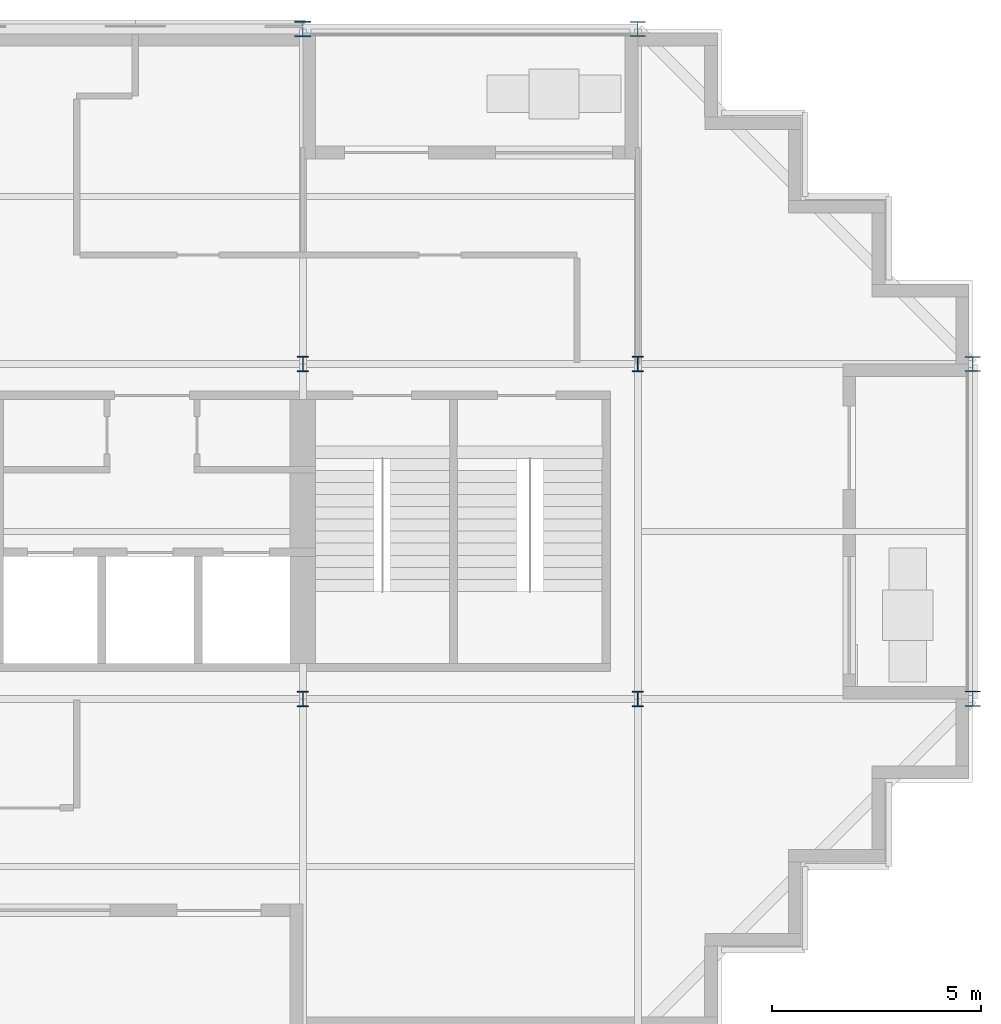
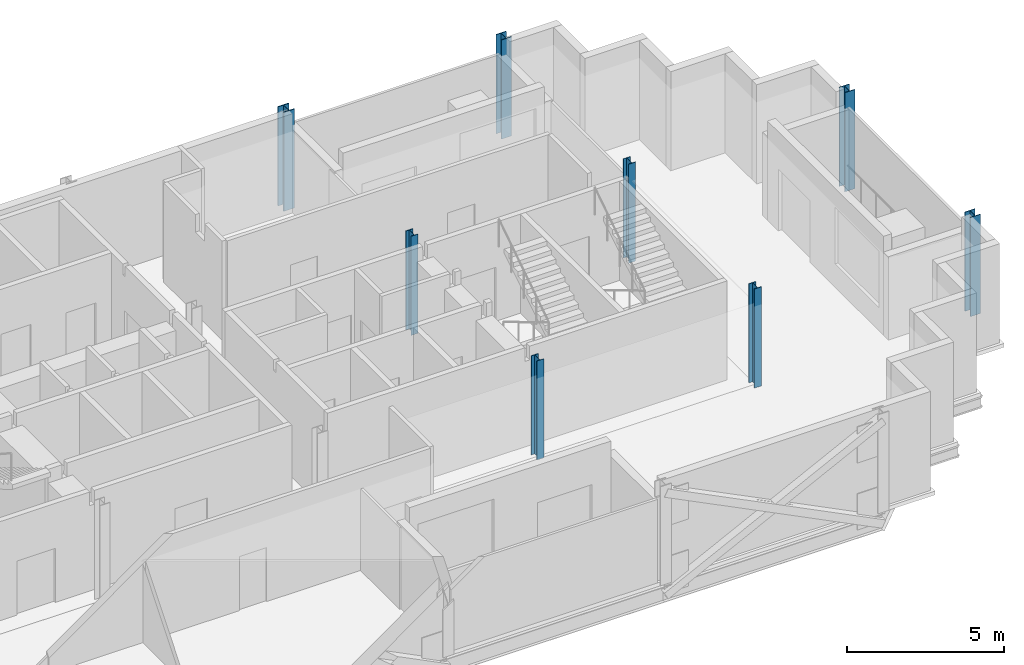
# One storey, part 2 of 9: 8 columns.
"""IFC4 building model written with IfcOpenShell, lengths in metres."""

from ifc_helpers import new_model, si_unit, direction, frame, origin, origin_2d, place, context, subcontext, project, spatial, i_section, extrude, material, material_profile, profile_set, type_object, element, save


model = new_model("IFC4")

# Units and contexts
model_context = context("Model", 3, precision=1e-05, world=origin(), true_north=direction((0.0, 1.0)))
body_context = subcontext(model_context, "Body", "Model", "MODEL_VIEW")
ifc_project = project(units=[si_unit("LENGTHUNIT", "METRE"), si_unit("AREAUNIT", "SQUARE_METRE"), si_unit("VOLUMEUNIT", "CUBIC_METRE"), si_unit("PLANEANGLEUNIT", "RADIAN"), si_unit("MASSUNIT", "GRAM", prefix="KILO")], contexts=[model_context])

# Site, building, storey
site_placement = place(None, origin())
site = spatial("IfcSite", under=ifc_project, at=site_placement, CompositionType="ELEMENT")
building_placement = place(site_placement, origin())
building = spatial("IfcBuilding", under=site, at=building_placement, Name="Immortelle Media Tower", CompositionType="ELEMENT")
storey_placement = place(building_placement, frame((0.0, 0.0, 271.0)))
storey = spatial("IfcBuildingStorey", under=building, at=storey_placement, Name="L59", CompositionType="ELEMENT", Elevation=271.0)

# Columns
ifc_material = material(Name="Steel ASTM A992 Gr 50", Category="steel")
ifc_material_profile_1 = material_profile(ifc_material, i_section(OverallWidth=0.373046875, OverallDepth=0.367919921875, WebThickness=0.014892578125, FlangeThickness=0.02392578125, at=origin_2d()), Name="W14x120")
ifc_profile_set_1 = profile_set([ifc_material_profile_1], Name="Steel ASTM A992 Gr 50")
column_type_1 = type_object("IfcColumnType", Name="W14x120 column", PredefinedType="COLUMN", material=ifc_profile_set_1)
for number, where, z_axis, x_axis, name in (
    (1, (40.0, 24.0, 0.0), (0.0, 0.0, 1.0), (1.0, 0.0, 0.0), "Column 6/D"),
    (2, (48.0, 8.0, 0.0), (0.0, 0.0, 1.0), (1.0, 0.0, 0.0), "Column 7/B"),
    (3, (48.0, 16.0, 0.0), (0.0, 0.0, 1.0), (1.0, 0.0, 0.0), "Column 7/C"),
):
    element("IfcColumn", number, at=place(storey_placement, frame(where, z_axis=z_axis, x_axis=x_axis)), inside=storey, type_object=column_type_1, Name=name, PredefinedType="COLUMN", context=body_context, shape_type="SweptSolid", body=[
        extrude(i_section(OverallWidth=0.373046875, OverallDepth=0.367919921875, WebThickness=0.014892578125, FlangeThickness=0.02392578125, at=origin_2d()), origin(), (0.0, 0.0, 1.0), 3.85009765625),
    ])
ifc_material_profile_2 = material_profile(ifc_material, i_section(OverallWidth=0.39892578125, OverallDepth=0.385986328125, WebThickness=0.02099609375, FlangeThickness=0.032958984375, at=origin_2d()), Name="W14x176")
ifc_profile_set_2 = profile_set([ifc_material_profile_2], Name="Steel ASTM A992 Gr 50")
column_type_2 = type_object("IfcColumnType", Name="W14x176 column", PredefinedType="COLUMN", material=ifc_profile_set_2)
column_placement = place(storey_placement, frame((32.0, 24.0, 0.0), z_axis=(0.0, 0.0, 1.0), x_axis=(1.0, 0.0, 0.0)))
element("IfcColumn", 4, at=column_placement, inside=storey, type_object=column_type_2, Name="Column 5/D", PredefinedType="COLUMN", context=body_context, shape_type="SweptSolid", body=[
    extrude(i_section(OverallWidth=0.39892578125, OverallDepth=0.385986328125, WebThickness=0.02099609375, FlangeThickness=0.032958984375, at=origin_2d()), origin(), (0.0, 0.0, 1.0), 3.85009765625),
])
ifc_material_profile_3 = material_profile(ifc_material, i_section(OverallWidth=0.257080078125, OverallDepth=0.363037109375, WebThickness=0.012939453125, FlangeThickness=0.02197265625, at=origin_2d()), Name="W14x82")
ifc_profile_set_3 = profile_set([ifc_material_profile_3], Name="Steel ASTM A992 Gr 50")
column_type_3 = type_object("IfcColumnType", Name="W14x82 column", PredefinedType="COLUMN", material=ifc_profile_set_3)
for number, where, z_axis, x_axis, name in (
    (5, (32.0, 8.0, 0.0), (0.0, 0.0, 1.0), (1.0, 0.0, 0.0), "Column 5/B"),
    (6, (32.0, 16.0, 0.0), (0.0, 0.0, 1.0), (1.0, 0.0, 0.0), "Column 5/C"),
    (7, (40.0, 8.0, 0.0), (0.0, 0.0, 1.0), (1.0, 0.0, 0.0), "Column 6/B"),
    (8, (40.0, 16.0, 0.0), (0.0, 0.0, 1.0), (1.0, 0.0, 0.0), "Column 6/C"),
):
    element("IfcColumn", number, at=place(storey_placement, frame(where, z_axis=z_axis, x_axis=x_axis)), inside=storey, type_object=column_type_3, Name=name, PredefinedType="COLUMN", context=body_context, shape_type="SweptSolid", body=[
        extrude(i_section(OverallWidth=0.257080078125, OverallDepth=0.363037109375, WebThickness=0.012939453125, FlangeThickness=0.02197265625, at=origin_2d()), origin(), (0.0, 0.0, 1.0), 3.85009765625),
    ])

save(model, "model.ifc")
